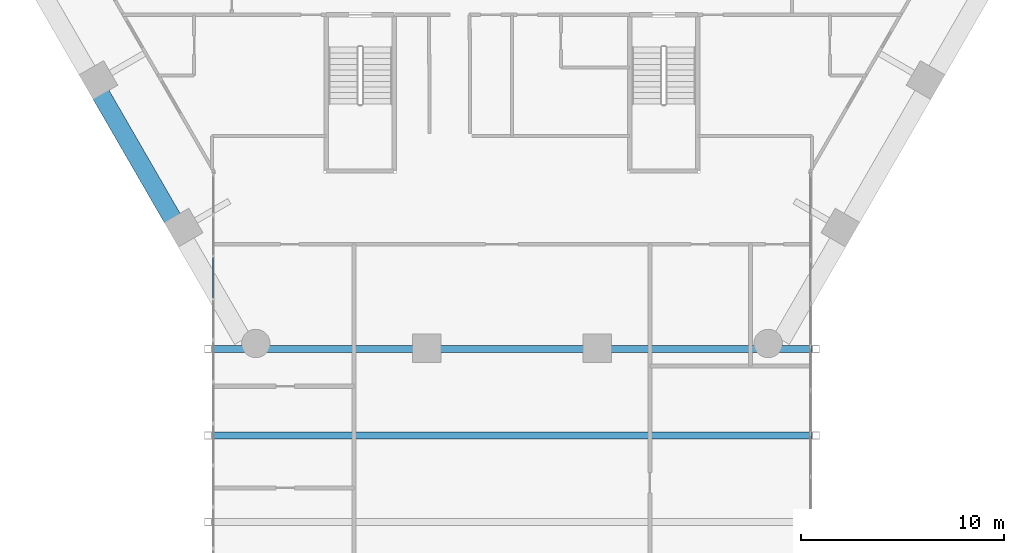
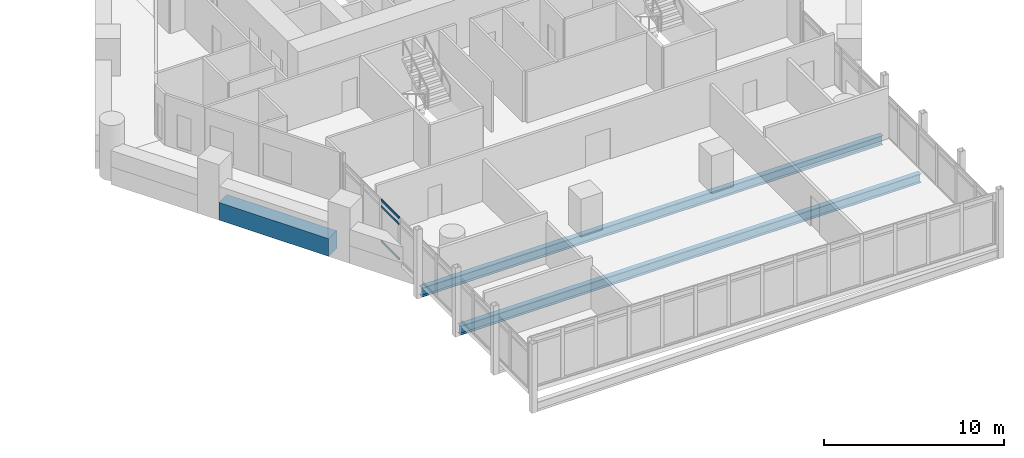
# One storey, part 8 of 28: 3 beams, 3 members, 1 element without a shape of its own.
"""IFC4 building model written with IfcOpenShell, lengths in metres."""

import ifcopenshell
import ifcopenshell.guid

model = None  # the IFC model being written
_history = None  # IfcOwnerHistory: only IFC2X3 demands one
_inside = {}  # id of a spatial element -> (the spatial element, [elements in it])
_under = {}  # id of a project, library or spatial element -> (it, [spatial elements below it])
_declared = {}  # id of a project -> (the project, [libraries it declares])
_typed = {}  # id of a type object -> (the type object, [elements of that type])
_made_of = {}  # id of a material, layer set ... -> (it, [elements and type objects made of it])


def new_model(schema):
    """Start an empty IFC model of exactly this schema.

    Asked for "IFC4X3", IfcOpenShell would pick the latest addendum, in which some entities
    have other attributes; the version numbers below select the first issue.
    IFC2X3 requires an IfcOwnerHistory on every rooted entity: one is made here for all.
    """
    global model, _history
    if schema == "IFC4X3":
        model = ifcopenshell.file(schema_version=(4, 3, 0, 0))
    else:
        model = ifcopenshell.file(schema=schema)
    _inside.clear()
    _under.clear()
    _declared.clear()
    _typed.clear()
    _made_of.clear()
    _history = None
    if model.schema == "IFC2X3":
        org = make("IfcOrganization", Name="unknown")
        user = make(
            "IfcPersonAndOrganization",
            ThePerson=make("IfcPerson", FamilyName="unknown"),
            TheOrganization=org,
        )
        app = make(
            "IfcApplication",
            ApplicationDeveloper=org,
            Version="unknown",
            ApplicationFullName="unknown",
            ApplicationIdentifier="unknown",
        )
        _history = make(
            "IfcOwnerHistory",
            OwningUser=user,
            OwningApplication=app,
            ChangeAction="ADDED",
            CreationDate=0,
        )
    return model


def make(cls, **values):
    """One entity of the class cls with the attributes given. An attribute that is None is left unset."""
    return model.create_entity(
        cls, **{name: value for name, value in values.items() if value is not None}
    )


def rooted(cls, **values):
    """An entity with a GlobalId (a new one), such as an element, a storey or a relation."""
    return make(cls, GlobalId=ifcopenshell.guid.new(), OwnerHistory=_history, **values)


def si_unit(unit_type, name, prefix=None):
    """IfcSIUnit, for example si_unit("LENGTHUNIT", "METRE", prefix="MILLI")."""
    return make("IfcSIUnit", UnitType=unit_type, Prefix=prefix, Name=name)


def assignment(units):
    """IfcUnitAssignment: the units of a project."""
    return None if units is None else make("IfcUnitAssignment", Units=units)


def point(xyz):
    """IfcCartesianPoint."""
    return None if xyz is None else make("IfcCartesianPoint", Coordinates=xyz)


def direction(xyz):
    """IfcDirection."""
    return None if xyz is None else make("IfcDirection", DirectionRatios=xyz)


def frame(location, z_axis=None, x_axis=None):
    """IfcAxis2Placement3D, a coordinate frame: its origin and axes. An axis left out is left unset."""
    return make(
        "IfcAxis2Placement3D",
        Location=point(location),
        Axis=direction(z_axis),
        RefDirection=direction(x_axis),
    )


def frame_2d(location, x_axis=None):
    """IfcAxis2Placement2D, a coordinate frame in the plane: its origin and x axis."""
    return make(
        "IfcAxis2Placement2D", Location=point(location), RefDirection=direction(x_axis)
    )


def origin():
    """The frame at (0, 0, 0) with its axes left unset."""
    return frame((0.0, 0.0, 0.0))


def origin_2d():
    """The frame at (0, 0) in the plane with its x axis left unset."""
    return frame_2d((0.0, 0.0))


def place(relative_to, where):
    """IfcLocalPlacement: puts the frame where relative to a parent placement (None: the world)."""
    return make(
        "IfcLocalPlacement", PlacementRelTo=relative_to, RelativePlacement=where
    )


def context(
    kind, dimensions, precision=None, world=None, true_north=None, identifier=None
):
    """IfcGeometricRepresentationContext, for example the 3D "Model" context."""
    return make(
        "IfcGeometricRepresentationContext",
        ContextIdentifier=identifier,
        ContextType=kind,
        CoordinateSpaceDimension=dimensions,
        Precision=precision,
        WorldCoordinateSystem=world,
        TrueNorth=true_north,
    )


def subcontext(parent, identifier, kind, view, scale=None):
    """IfcGeometricRepresentationSubContext, for example "Body" below "Model"."""
    return make(
        "IfcGeometricRepresentationSubContext",
        ContextIdentifier=identifier,
        ContextType=kind,
        ParentContext=parent,
        TargetScale=scale,
        TargetView=view,
    )


def project(units=None, contexts=None):
    """IfcProject with its units and contexts."""
    return rooted(
        "IfcProject",
        Name="project",
        RepresentationContexts=contexts,
        UnitsInContext=assignment(units),
    )


def spatial(cls, under=None, at=None, **own):
    """A site, building, storey or space (cls), placed at a placement, below another one or the project."""
    s = rooted(cls, ObjectPlacement=at, **own)
    if under is not None:
        _under.setdefault(under.id(), (under, []))[1].append(s)
    return s


def profile(cls, at=None, kind="AREA", **sizes):
    """A parametric profile (cls). Its sizes go by their IFC names, for example OverallWidth=200.0."""
    return make(cls, ProfileType=kind, Position=at, **sizes)


def rectangle(**sizes):
    """IfcRectangleProfileDef."""
    return profile("IfcRectangleProfileDef", **sizes)


def hollow_rectangle(**sizes):
    """IfcRectangleHollowProfileDef."""
    return profile("IfcRectangleHollowProfileDef", **sizes)


def i_section(**sizes):
    """IfcIShapeProfileDef."""
    return profile("IfcIShapeProfileDef", **sizes)


def extrude(swept, where, along, depth):
    """IfcExtrudedAreaSolid: the profile swept, set in the frame where, extruded along a direction by depth."""
    return make(
        "IfcExtrudedAreaSolid",
        SweptArea=swept,
        Position=where,
        ExtrudedDirection=direction(along),
        Depth=depth,
    )


def shape(context_of_items, identifier, shape_type, items):
    """IfcShapeRepresentation: the items that make up one representation, for example the "Body"."""
    return make(
        "IfcShapeRepresentation",
        ContextOfItems=context_of_items,
        RepresentationIdentifier=identifier,
        RepresentationType=shape_type,
        Items=items,
    )


def material(Name=None, Category=None):
    """IfcMaterial."""
    return make("IfcMaterial", Name=Name, Category=Category)


def material_profile(
    of_material, cross_section, Name=None, Category=None, Priority=None
):
    """IfcMaterialProfile: a cross section and its material."""
    return make(
        "IfcMaterialProfile",
        Name=Name,
        Material=of_material,
        Profile=cross_section,
        Priority=Priority,
        Category=Category,
    )


def profile_set(profiles, Name=None, composite=None):
    """IfcMaterialProfileSet."""
    return make(
        "IfcMaterialProfileSet",
        Name=Name,
        MaterialProfiles=profiles,
        CompositeProfile=composite,
    )


def made_of(thing, what):
    """Note that an element or type object is made of a material, layer set ...; save() writes the relation."""
    if what is not None:
        _made_of.setdefault(what.id(), (what, []))[1].append(thing)
    return thing


def type_object(cls, material=None, **own):
    """A type object (cls), such as IfcWallType, which elements share."""
    return made_of(rooted(cls, **own), material)


def element(
    cls,
    number,
    at=None,
    inside=None,
    cuts=None,
    type_object=None,
    material=None,
    context=None,
    identifier="Body",
    shape_type=None,
    held_by="IfcProductDefinitionShape",
    body=None,
    shapes=None,
    **own,
):
    """One element of the class cls, such as IfcWall. Its Tag is "e" and its number.

    at: its placement. inside: the storey or other place that contains it. cuts: it is an
    opening in that element (IfcRelVoidsElement). A single representation is given by context,
    identifier, shape_type and body (its items); several are given by shapes. held_by: the class
    of the entity that holds the representations. save() writes the other relations.
    """
    e = rooted(cls, Tag="e%d" % number, ObjectPlacement=at, **own)
    if body is not None:
        shapes = [shape(context, identifier, shape_type, body)]
    if shapes is not None:
        e.Representation = make(held_by, Representations=shapes)
    if inside is not None:
        _inside.setdefault(inside.id(), (inside, []))[1].append(e)
    if cuts is not None:
        rooted(
            "IfcRelVoidsElement", RelatingBuildingElement=cuts, RelatedOpeningElement=e
        )
    if type_object is not None:
        _typed.setdefault(type_object.id(), (type_object, []))[1].append(e)
    return made_of(e, material)


def aggregate(whole, parts):
    """IfcRelAggregates: a whole, such as a stair, and the parts it consists of."""
    return rooted("IfcRelAggregates", RelatingObject=whole, RelatedObjects=parts)


def save(model, path):
    """Write the relations noted so far, then the file.

    IfcRelAggregates (storeys below a building ...), IfcRelContainedInSpatialStructure (elements
    in a storey), IfcRelDefinesByType, IfcRelAssociatesMaterial and IfcRelDeclares: one each for
    every whole, place, type object, material and project.
    """
    for whole, parts in _under.values():
        aggregate(whole, parts)
    for where, things in _inside.values():
        rooted(
            "IfcRelContainedInSpatialStructure",
            RelatedElements=things,
            RelatingStructure=where,
        )
    for kind, things in _typed.values():
        rooted("IfcRelDefinesByType", RelatedObjects=things, RelatingType=kind)
    for what, things in _made_of.values():
        rooted("IfcRelAssociatesMaterial", RelatedObjects=things, RelatingMaterial=what)
    for by, libraries in _declared.values():
        rooted("IfcRelDeclares", RelatingContext=by, RelatedDefinitions=libraries)
    model.write(path)


model = new_model("IFC4")

# Units and contexts
model_context = context("Model", 3, precision=1e-05, world=origin(), true_north=direction((0.0, 1.0)))
body_context = subcontext(model_context, "Body", "Model", "MODEL_VIEW")
ifc_project = project(units=[si_unit("LENGTHUNIT", "METRE"), si_unit("AREAUNIT", "SQUARE_METRE"), si_unit("VOLUMEUNIT", "CUBIC_METRE"), si_unit("PLANEANGLEUNIT", "RADIAN"), si_unit("MASSUNIT", "GRAM", prefix="KILO")], contexts=[model_context])

# Site, building, storey
site_placement = place(None, origin())
site = spatial("IfcSite", under=ifc_project, at=site_placement, CompositionType="ELEMENT")
building_placement = place(site_placement, origin())
building = spatial("IfcBuilding", under=site, at=building_placement, Name="Ostrander Bayou Hotel Tower", CompositionType="ELEMENT")
storey_placement = place(building_placement, frame((0.0, 0.0, 76.75)))
storey = spatial("IfcBuildingStorey", under=building, at=storey_placement, Name="L19", CompositionType="ELEMENT", Elevation=76.75)

# Curtain wall, members
ifc_material_1 = material(Name="Aluminium and clear glass", Category="aluminium")
curtain_wall_type = type_object("IfcCurtainWallType", Name="CW-BAR glazed wall", PredefinedType="NOTDEFINED", material=ifc_material_1)
curtain_wall_placement = place(storey_placement, origin())
curtain_wall = element("IfcCurtainWall", 1, at=curtain_wall_placement, inside=storey, type_object=curtain_wall_type, Name="CW-BAR L19:SB1S:E", PredefinedType="NOTDEFINED")
ifc_material_2 = material(Name="Aluminium", Category="aluminium")
ifc_material_profile_1 = material_profile(ifc_material_2, hollow_rectangle(XDim=0.06005859375, YDim=0.1298828125, WallThickness=0.00390625, at=origin_2d()))
ifc_profile_set_1 = profile_set([ifc_material_profile_1], Name="Aluminium")
member_type = type_object("IfcMemberType", Name="CW-BR transom 60 x 130 mm", PredefinedType="USERDEFINED", material=ifc_profile_set_1)
member_1_placement = place(storey_placement, frame((-14.712158203125, -15.654541015625, 0.030029296875), z_axis=(0.0, -1.0, 0.0), x_axis=(1.0, 0.0, 0.0)))
member_1 = element("IfcMember", 2, at=member_1_placement, type_object=member_type, Name="CW-BAR transom 3.1", ObjectType="TRANSOM", PredefinedType="USERDEFINED", context=body_context, shape_type="SweptSolid", body=[
    extrude(hollow_rectangle(XDim=0.06005859375, YDim=0.1298828125, WallThickness=0.00390625, at=origin_2d()), origin(), (0.0, 0.0, 1.0), 1.993408203125),
])
member_2_placement = place(storey_placement, frame((-14.712158203125, -15.654541015625, 2.39990234375), z_axis=(0.0, -1.0, 0.0), x_axis=(1.0, 0.0, 0.0)))
member_2 = element("IfcMember", 3, at=member_2_placement, type_object=member_type, Name="CW-BAR transom 3.2", ObjectType="TRANSOM", PredefinedType="USERDEFINED", context=body_context, shape_type="SweptSolid", body=[
    extrude(hollow_rectangle(XDim=0.06005859375, YDim=0.1298828125, WallThickness=0.00390625, at=origin_2d()), origin(), (0.0, 0.0, 1.0), 1.993408203125),
])
member_3_placement = place(storey_placement, frame((-14.712158203125, -15.654541015625, 2.820068359375), z_axis=(0.0, -1.0, 0.0), x_axis=(1.0, 0.0, 0.0)))
member_3 = element("IfcMember", 4, at=member_3_placement, type_object=member_type, Name="CW-BAR transom 3.3", ObjectType="TRANSOM", PredefinedType="USERDEFINED", context=body_context, shape_type="SweptSolid", body=[
    extrude(hollow_rectangle(XDim=0.06005859375, YDim=0.1298828125, WallThickness=0.00390625, at=origin_2d()), origin(), (0.0, 0.0, 1.0), 1.993408203125),
])
aggregate(curtain_wall, [member_1, member_2, member_3])

# Beams
ifc_material_3 = material(Name="Concrete f'c 70 MPa", Category="concrete")
ifc_material_profile_2 = material_profile(ifc_material_3, rectangle(XDim=0.89990234375, YDim=1.199951171875, at=origin_2d()))
ifc_profile_set_2 = profile_set([ifc_material_profile_2], Name="Concrete f'c 70 MPa")
beam_type_1 = type_object("IfcBeamType", Name="SP1 spandrel beam 900 x 1200 mm f'c 70 MPa", PredefinedType="SPANDREL", material=ifc_profile_set_2)
beam_placement = place(storey_placement, frame((-20.252197265625, -7.621826171875, -0.60009765625), z_axis=(0.499997206141, -0.866027016814, 0.0), x_axis=(0.866027016814, 0.499997206141, 0.0)))
element("IfcBeam", 5, at=beam_placement, inside=storey, type_object=beam_type_1, Name="SP1 L19 SW-2", PredefinedType="SPANDREL", context=body_context, shape_type="SweptSolid", body=[
    extrude(rectangle(XDim=0.89990234375, YDim=1.199951171875, at=origin_2d()), origin(), (0.0, 0.0, 1.0), 7.05078125),
])
ifc_material_4 = material(Name="Steel ASTM A992", Category="steel")
ifc_material_profile_3 = material_profile(ifc_material_4, i_section(OverallWidth=0.32763671875, OverallDepth=0.621826171875, WebThickness=0.015380859375, FlangeThickness=0.0244140625, at=origin_2d()))
ifc_profile_set_3 = profile_set([ifc_material_profile_3], Name="Steel ASTM A992")
beam_type_2 = type_object("IfcBeamType", Name="TF1 bar floor beam W24x131", PredefinedType="BEAM", material=ifc_profile_set_3)
for number, where, z_axis, x_axis, name in (
    (6, (-14.787109375, -20.162841796875, -0.61083984375), (1.0, 0.0, 0.0), (0.0, 1.0, 0.0), "TF1 SB1S L4-1"),
    (7, (-14.787109375, -24.42529296875, -0.61083984375), (1.0, 0.0, 0.0), (0.0, 1.0, 0.0), "TF1 SB1S L4-2"),
):
    element("IfcBeam", number, at=place(storey_placement, frame(where, z_axis=z_axis, x_axis=x_axis)), inside=storey, type_object=beam_type_2, Name=name, PredefinedType="BEAM", context=body_context, shape_type="SweptSolid", body=[
        extrude(i_section(OverallWidth=0.32763671875, OverallDepth=0.621826171875, WebThickness=0.015380859375, FlangeThickness=0.0244140625, at=origin_2d()), origin(), (0.0, 0.0, 1.0), 29.57421875),
    ])

save(model, "model.ifc")
